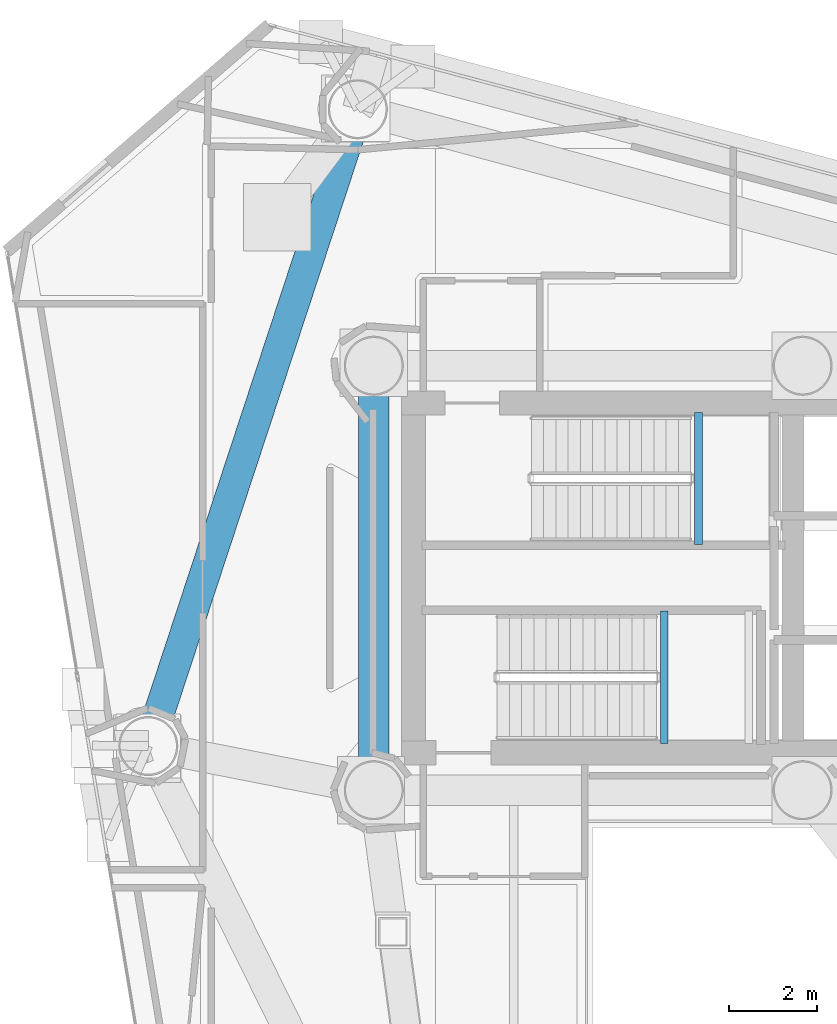
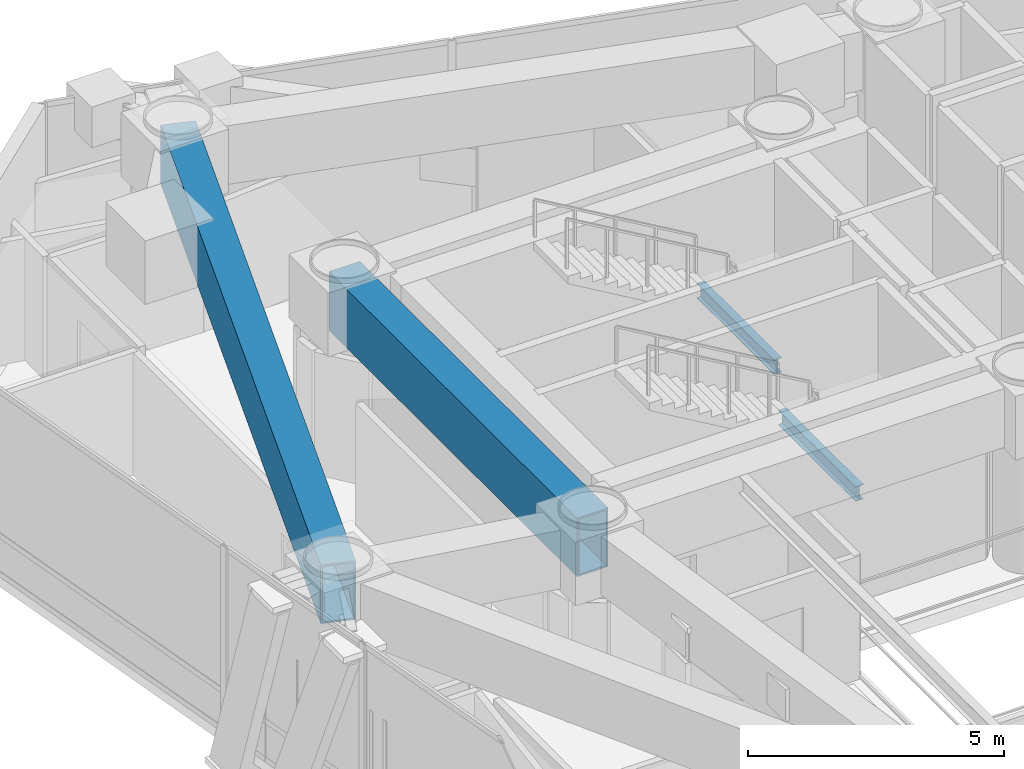
# One storey, part 9 of 22: 4 beams.
"""IFC4 building model written with IfcOpenShell, lengths in metres."""

from ifc_helpers import new_model, si_unit, direction, frame, origin, origin_2d, place, context, subcontext, project, spatial, hollow_rectangle, i_section, extrude, material, material_profile, profile_set, type_object, element, save


model = new_model("IFC4")

# Units and contexts
model_context = context("Model", 3, precision=1e-05, world=origin(), true_north=direction((0.0, 1.0)))
body_context = subcontext(model_context, "Body", "Model", "MODEL_VIEW")
ifc_project = project(units=[si_unit("LENGTHUNIT", "METRE"), si_unit("AREAUNIT", "SQUARE_METRE"), si_unit("VOLUMEUNIT", "CUBIC_METRE"), si_unit("PLANEANGLEUNIT", "RADIAN"), si_unit("MASSUNIT", "GRAM", prefix="KILO")], contexts=[model_context])

# Site, building, storey
site_placement = place(None, origin())
site = spatial("IfcSite", under=ifc_project, at=site_placement, CompositionType="ELEMENT")
building_placement = place(site_placement, origin())
building = spatial("IfcBuilding", under=site, at=building_placement, Name="Qianvela Tower", CompositionType="ELEMENT")
storey_placement = place(building_placement, frame((0.0, 0.0, 184.60009765625)))
storey = spatial("IfcBuildingStorey", under=building, at=storey_placement, Name="L47", CompositionType="ELEMENT", Elevation=184.60009765625)

# Beams
ifc_material_1 = material(Name="Steel Q355B", Category="steel")
ifc_material_profile_1 = material_profile(ifc_material_1, i_section(OverallWidth=0.175048828125, OverallDepth=0.35009765625, WebThickness=0.007080078125, FlangeThickness=0.010986328125, at=origin_2d()), Name="HN350x175x7x11")
ifc_profile_set_1 = profile_set([ifc_material_profile_1], Name="Steel Q355B")
beam_type_1 = type_object("IfcBeamType", Name="BM-HN350-JOIST", PredefinedType="JOIST", material=ifc_profile_set_1)
for number, where, z_axis, x_axis, name in (
    (1, (36.02001953125, 29.4599609375, 1.9248046875), (0.0, 1.0, 0.0), (-1.0, 0.0, 0.0), "L47 Stair ST-1 Landing Support Beam 1.1"),
    (2, (35.239990234375, 24.919921875, 1.9248046875), (0.0, 1.0, 0.0), (-1.0, 0.0, 0.0), "L47 Stair ST-2 Landing Support Beam 1.1"),
):
    element("IfcBeam", number, at=place(storey_placement, frame(where, z_axis=z_axis, x_axis=x_axis)), inside=storey, type_object=beam_type_1, Name=name, PredefinedType="JOIST", context=body_context, shape_type="SweptSolid", body=[
        extrude(i_section(OverallWidth=0.175048828125, OverallDepth=0.35009765625, WebThickness=0.007080078125, FlangeThickness=0.010986328125, at=origin_2d()), origin(), (0.0, 0.0, 1.0), 3.02001953125),
    ])
ifc_material_2 = material(Name="Steel Q420GJC", Category="steel")
ifc_material_profile_2 = material_profile(ifc_material_2, hollow_rectangle(XDim=0.699951171875, YDim=1.39990234375, WallThickness=0.0400390625, at=origin_2d()), Name="TG-BOX-1400x700x40")
ifc_profile_set_2 = profile_set([ifc_material_profile_2], Name="Steel Q420GJC")
beam_type_2 = type_object("IfcBeamType", Name="BM-TG-RAD-1400", PredefinedType="BEAM", material=ifc_profile_set_2)
beam_1_placement = place(storey_placement, frame((28.60009765625, 33.550048828125, 3.718017578125), z_axis=(0.0, -1.0, 0.0), x_axis=(1.0, 0.0, 0.0)))
element("IfcBeam", 3, at=beam_1_placement, inside=storey, type_object=beam_type_2, Name="L47 Core Ring Transfer Girder 2", PredefinedType="BEAM", context=body_context, shape_type="SweptSolid", body=[
    extrude(hollow_rectangle(XDim=0.699951171875, YDim=1.39990234375, WallThickness=0.0400390625, at=origin_2d()), origin(), (0.0, 0.0, 1.0), 9.699951171875),
])
beam_2_placement = place(storey_placement, frame((28.235107421875, 39.410888671875, 3.718017578125), z_axis=(-0.312606332657, -0.949882772126, 0.0), x_axis=(0.949882772126, -0.312606332657, 0.0)))
element("IfcBeam", 4, at=beam_2_placement, inside=storey, type_object=beam_type_2, Name="L47 Perimeter Belt-Truss Top Ring Girder 3", PredefinedType="BEAM", context=body_context, shape_type="SweptSolid", body=[
    extrude(hollow_rectangle(XDim=0.699951171875, YDim=1.39990234375, WallThickness=0.0400390625, at=origin_2d()), origin(), (0.0, 0.0, 1.0), 15.31982421875),
])

save(model, "model.ifc")
